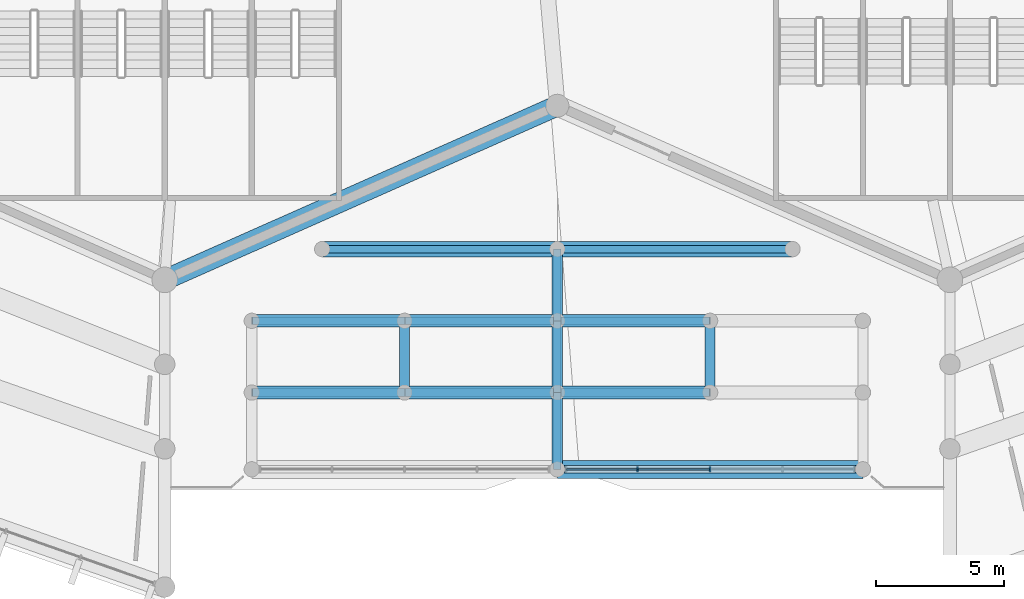
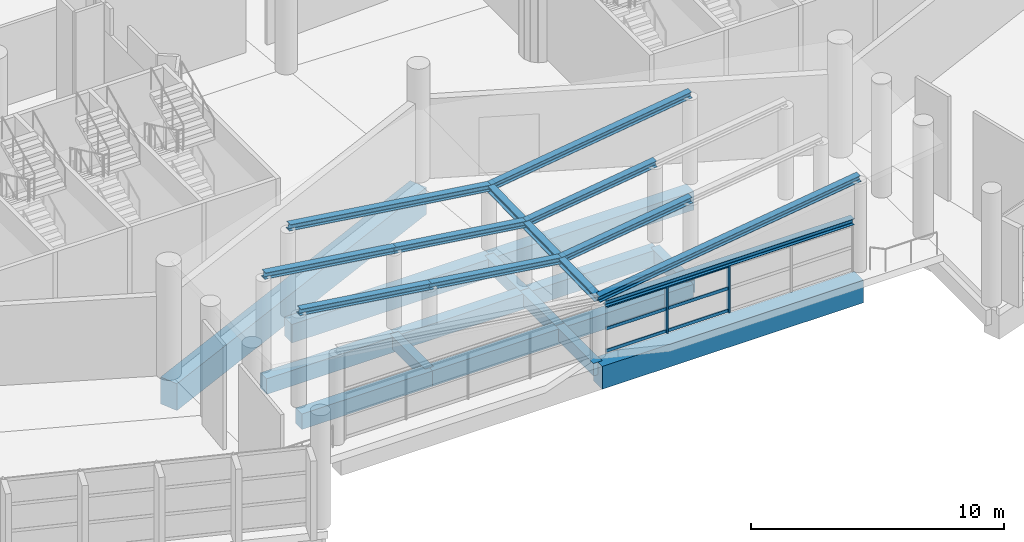
# One storey, part 22 of 271: 28 beams, 8 members, 1 element without a shape of its own.
"""IFC4 building model written with IfcOpenShell, lengths in metres."""

from ifc_helpers import new_model, si_unit, direction, frame, origin, origin_2d, place, context, subcontext, project, spatial, rectangle, i_section, extrude, material, layer, layer_set, material_profile, profile_set, type_object, element, aggregate, save


model = new_model("IFC4")

# Units and contexts
model_context = context("Model", 3, precision=1e-05, world=origin(), true_north=direction((0.0, 1.0)))
body_context = subcontext(model_context, "Body", "Model", "MODEL_VIEW")
ifc_project = project(units=[si_unit("LENGTHUNIT", "METRE"), si_unit("AREAUNIT", "SQUARE_METRE"), si_unit("VOLUMEUNIT", "CUBIC_METRE"), si_unit("PLANEANGLEUNIT", "RADIAN"), si_unit("MASSUNIT", "GRAM", prefix="KILO")], contexts=[model_context])

# Site, building, storey
site_placement = place(None, origin())
site = spatial("IfcSite", under=ifc_project, at=site_placement, CompositionType="ELEMENT")
building_placement = place(site_placement, origin())
building = spatial("IfcBuilding", under=site, at=building_placement, Name="Meseta Stadium", CompositionType="ELEMENT")
storey_placement = place(building_placement, frame((0.0, 0.0, 6.5)))
storey = spatial("IfcBuildingStorey", under=building, at=storey_placement, Name="L01", CompositionType="ELEMENT", Elevation=6.5)

# Beams
ifc_material_1 = material(Name="Steel S355", Category="steel")
ifc_material_profile_1 = material_profile(ifc_material_1, i_section(OverallWidth=0.300048828125, OverallDepth=0.300048828125, WebThickness=0.010986328125, FlangeThickness=0.01904296875, FilletRadius=0.027099609375, at=origin_2d()), Name="HEB 300")
ifc_profile_set_1 = profile_set([ifc_material_profile_1], Name="Steel S355")
beam_type_1 = type_object("IfcBeamType", Name="Gate roof beam HEB 300", PredefinedType="BEAM", material=ifc_profile_set_1)
for number, where, z_axis, x_axis, name in (
    (1, (7.666748046875, -104.199951171875, 2.931396484375), (0.0, -0.999798977995, -0.02005002746), (1.0, 0.0, 0.0), "Gate 7 valley beam"),
    (2, (7.666748046875, -107.0, 2.875244140625), (0.0, -0.999800721691, -0.019962888244), (1.0, 0.0, 0.0), "Gate 7 valley beam"),
):
    element("IfcBeam", number, at=place(storey_placement, frame(where, z_axis=z_axis, x_axis=x_axis)), inside=storey, type_object=beam_type_1, Name=name, PredefinedType="BEAM", context=body_context, shape_type="SweptSolid", body=[
        extrude(i_section(OverallWidth=0.300048828125, OverallDepth=0.300048828125, WebThickness=0.010986328125, FlangeThickness=0.01904296875, FilletRadius=0.027099609375, at=origin_2d()), origin(), (0.0, 0.0, 1.0), 2.800537109375),
    ])
beam_1_placement = place(storey_placement, frame((7.666748046875, -109.800048828125, 2.8193359375), z_axis=(0.0, -0.999799669399, -0.020015520725), x_axis=(1.0, 0.0, 0.0)))
element("IfcBeam", 3, at=beam_1_placement, inside=storey, type_object=beam_type_1, Name="Gate 7 valley beam", PredefinedType="BEAM", context=body_context, shape_type="SweptSolid", body=[
    extrude(i_section(OverallWidth=0.300048828125, OverallDepth=0.300048828125, WebThickness=0.010986328125, FlangeThickness=0.01904296875, FilletRadius=0.027099609375, at=origin_2d()), origin(), (0.0, 0.0, 1.0), 3.00048828125),
])
beam_2_placement = place(storey_placement, frame((7.966796875, -112.800048828125, 2.44921875), z_axis=(1.0, 0.0, 0.0), x_axis=(0.0, 1.0, 0.0)))
element("IfcBeam", 4, at=beam_2_placement, inside=storey, type_object=beam_type_1, Name="Gate 7 head beam", PredefinedType="BEAM", context=body_context, shape_type="SweptSolid", body=[
    extrude(i_section(OverallWidth=0.300048828125, OverallDepth=0.300048828125, WebThickness=0.010986328125, FlangeThickness=0.01904296875, FilletRadius=0.027099609375, at=origin_2d()), origin(), (0.0, 0.0, 1.0), 11.333251953125),
])
ifc_material_2 = material(Name="Steel S355", Category="steel")
ifc_material_profile_2 = material_profile(ifc_material_2, i_section(OverallWidth=0.300048828125, OverallDepth=0.300048828125, WebThickness=0.010986328125, FlangeThickness=0.01904296875, FilletRadius=0.027099609375, at=origin_2d()), Name="HEB 300")
ifc_profile_set_2 = profile_set([ifc_material_profile_2], Name="Steel S355")
beam_type_2 = type_object("IfcBeamType", Name="Gate roof beam HEB 300 rafter", PredefinedType="BEAM", material=ifc_profile_set_2)
beam_3_placement = place(storey_placement, frame((-1.516845703125, -104.199951171875, 4.217041015625), z_axis=(0.99034261426, 0.0, -0.138641647349), x_axis=(0.0, 1.0, 0.0)))
element("IfcBeam", 5, at=beam_3_placement, inside=storey, type_object=beam_type_2, Name="Gate 7 roof rafter", PredefinedType="BEAM", context=body_context, shape_type="SweptSolid", body=[
    extrude(i_section(OverallWidth=0.300048828125, OverallDepth=0.300048828125, WebThickness=0.010986328125, FlangeThickness=0.01904296875, FilletRadius=0.027099609375, at=origin_2d()), origin(), (0.0, 0.0, 1.0), 9.273193359375),
])
beam_4_placement = place(storey_placement, frame((7.666748046875, -104.199951171875, 2.931396484375), z_axis=(0.990342108183, 0.0, 0.138645262307), x_axis=(0.0, 1.0, 0.0)))
element("IfcBeam", 6, at=beam_4_placement, inside=storey, type_object=beam_type_2, Name="Gate 7 roof rafter", PredefinedType="BEAM", context=body_context, shape_type="SweptSolid", body=[
    extrude(i_section(OverallWidth=0.300048828125, OverallDepth=0.300048828125, WebThickness=0.010986328125, FlangeThickness=0.01904296875, FilletRadius=0.027099609375, at=origin_2d()), origin(), (0.0, 0.0, 1.0), 9.27294921875),
])
beam_5_placement = place(storey_placement, frame((-4.2666015625, -107.0, 4.5458984375), z_axis=(0.990344306027, 0.0, -0.138629562213), x_axis=(0.0, 1.0, 0.0)))
element("IfcBeam", 7, at=beam_5_placement, inside=storey, type_object=beam_type_2, Name="Gate 7 roof rafter", PredefinedType="BEAM", context=body_context, shape_type="SweptSolid", body=[
    extrude(i_section(OverallWidth=0.300048828125, OverallDepth=0.300048828125, WebThickness=0.010986328125, FlangeThickness=0.01904296875, FilletRadius=0.027099609375, at=origin_2d()), origin(), (0.0, 0.0, 1.0), 6.024658203125),
])
beam_6_placement = place(storey_placement, frame((1.699951171875, -107.0, 3.710693359375), z_axis=(0.990339520978, 0.0, -0.13866374144), x_axis=(0.0, 1.0, 0.0)))
element("IfcBeam", 8, at=beam_6_placement, inside=storey, type_object=beam_type_2, Name="Gate 7 roof rafter", PredefinedType="BEAM", context=body_context, shape_type="SweptSolid", body=[
    extrude(i_section(OverallWidth=0.300048828125, OverallDepth=0.300048828125, WebThickness=0.010986328125, FlangeThickness=0.01904296875, FilletRadius=0.027099609375, at=origin_2d()), origin(), (0.0, 0.0, 1.0), 6.02490234375),
])
for number, where, z_axis, x_axis, name in (
    (9, (7.666748046875, -107.0, 2.875244140625), (0.990338741803, 0.0, 0.138669306209), (0.0, 1.0, 0.0), "Gate 7 roof rafter"),
    (10, (-4.2666015625, -109.800048828125, 4.489990234375), (0.990344306027, 0.0, -0.138629562213), (0.0, 1.0, 0.0), "Gate 7 roof rafter"),
):
    element("IfcBeam", number, at=place(storey_placement, frame(where, z_axis=z_axis, x_axis=x_axis)), inside=storey, type_object=beam_type_2, Name=name, PredefinedType="BEAM", context=body_context, shape_type="SweptSolid", body=[
        extrude(i_section(OverallWidth=0.300048828125, OverallDepth=0.300048828125, WebThickness=0.010986328125, FlangeThickness=0.01904296875, FilletRadius=0.027099609375, at=origin_2d()), origin(), (0.0, 0.0, 1.0), 6.024658203125),
    ])
beam_7_placement = place(storey_placement, frame((1.699951171875, -109.800048828125, 3.65478515625), z_axis=(0.990339520978, 0.0, -0.13866374144), x_axis=(0.0, 1.0, 0.0)))
element("IfcBeam", 11, at=beam_7_placement, inside=storey, type_object=beam_type_2, Name="Gate 7 roof rafter", PredefinedType="BEAM", context=body_context, shape_type="SweptSolid", body=[
    extrude(i_section(OverallWidth=0.300048828125, OverallDepth=0.300048828125, WebThickness=0.010986328125, FlangeThickness=0.01904296875, FilletRadius=0.027099609375, at=origin_2d()), origin(), (0.0, 0.0, 1.0), 6.02490234375),
])
beam_8_placement = place(storey_placement, frame((7.666748046875, -109.800048828125, 2.8193359375), z_axis=(0.990338741803, 0.0, 0.138669306209), x_axis=(0.0, 1.0, 0.0)))
element("IfcBeam", 12, at=beam_8_placement, inside=storey, type_object=beam_type_2, Name="Gate 7 roof rafter", PredefinedType="BEAM", context=body_context, shape_type="SweptSolid", body=[
    extrude(i_section(OverallWidth=0.300048828125, OverallDepth=0.300048828125, WebThickness=0.010986328125, FlangeThickness=0.01904296875, FilletRadius=0.027099609375, at=origin_2d()), origin(), (0.0, 0.0, 1.0), 6.024658203125),
])
beam_9_placement = place(storey_placement, frame((7.666748046875, -112.800048828125, 2.75927734375), z_axis=(0.990341913595, 0.0, 0.138646652238), x_axis=(0.0, 1.0, 0.0)))
element("IfcBeam", 13, at=beam_9_placement, inside=storey, type_object=beam_type_2, Name="Gate 7 roof rafter", PredefinedType="BEAM", context=body_context, shape_type="SweptSolid", body=[
    extrude(i_section(OverallWidth=0.300048828125, OverallDepth=0.300048828125, WebThickness=0.010986328125, FlangeThickness=0.01904296875, FilletRadius=0.027099609375, at=origin_2d()), origin(), (0.0, 0.0, 1.0), 12.0498046875),
])
ifc_material_3 = material(Name="Concrete C40/50", Category="concrete")
ifc_material_profile_3 = material_profile(ifc_material_3, rectangle(XDim=0.39990234375, YDim=0.60009765625, at=origin_2d()), Name="RC 400x600")
ifc_profile_set_3 = profile_set([ifc_material_profile_3], Name="Concrete C40/50")
beam_type_3 = type_object("IfcBeamType", Name="RC beam 400x600", PredefinedType="BEAM", material=ifc_profile_set_3)
for number, where, z_axis, x_axis, name in (
    (14, (7.666748046875, -104.199951171875, -0.64990234375), (0.0, -1.0, 0.0), (1.0, 0.0, 0.0), "Gate 7 floor beam"),
    (15, (1.699951171875, -107.0, -0.64990234375), (0.0, -1.0, 0.0), (1.0, 0.0, 0.0), "Gate 7 floor beam"),
    (16, (7.666748046875, -107.0, -0.64990234375), (0.0, -1.0, 0.0), (1.0, 0.0, 0.0), "Gate 7 floor beam"),
    (17, (13.63330078125, -107.0, -0.64990234375), (0.0, -1.0, 0.0), (1.0, 0.0, 0.0), "Gate 7 floor beam"),
):
    element("IfcBeam", number, at=place(storey_placement, frame(where, z_axis=z_axis, x_axis=x_axis)), inside=storey, type_object=beam_type_3, Name=name, PredefinedType="BEAM", context=body_context, shape_type="SweptSolid", body=[
        extrude(rectangle(XDim=0.39990234375, YDim=0.60009765625, at=origin_2d()), origin(), (0.0, 0.0, 1.0), 2.800048828125),
    ])
beam_10_placement = place(storey_placement, frame((7.666748046875, -109.800048828125, -0.64990234375), z_axis=(0.0, -1.0, 0.0), x_axis=(1.0, 0.0, 0.0)))
element("IfcBeam", 18, at=beam_10_placement, inside=storey, type_object=beam_type_3, Name="Gate 7 floor beam", PredefinedType="BEAM", context=body_context, shape_type="SweptSolid", body=[
    extrude(rectangle(XDim=0.39990234375, YDim=0.60009765625, at=origin_2d()), origin(), (0.0, 0.0, 1.0), 3.0),
])
ifc_material_4 = material(Name="Concrete C40/50", Category="concrete")
ifc_material_profile_4 = material_profile(ifc_material_4, rectangle(XDim=0.5, YDim=0.75, at=origin_2d()), Name="RC 500x750")
ifc_profile_set_4 = profile_set([ifc_material_profile_4], Name="Concrete C40/50")
beam_type_4 = type_object("IfcBeamType", Name="RC beam 500x750", PredefinedType="BEAM", material=ifc_profile_set_4)
beam_11_placement = place(storey_placement, frame((-4.2666015625, -107.0, -0.72509765625), z_axis=(1.0, 0.0, 0.0), x_axis=(0.0, 1.0, 0.0)))
element("IfcBeam", 19, at=beam_11_placement, inside=storey, type_object=beam_type_4, Name="Gate 7 floor beam", PredefinedType="BEAM", context=body_context, shape_type="SweptSolid", body=[
    extrude(rectangle(XDim=0.5, YDim=0.75, at=origin_2d()), origin(), (0.0, 0.0, 1.0), 5.966552734375),
])
beam_12_placement = place(storey_placement, frame((1.699951171875, -107.0, -0.72509765625), z_axis=(1.0, 0.0, 0.0), x_axis=(0.0, 1.0, 0.0)))
element("IfcBeam", 20, at=beam_12_placement, inside=storey, type_object=beam_type_4, Name="Gate 7 floor beam", PredefinedType="BEAM", context=body_context, shape_type="SweptSolid", body=[
    extrude(rectangle(XDim=0.5, YDim=0.75, at=origin_2d()), origin(), (0.0, 0.0, 1.0), 5.966796875),
])
for number, where, z_axis, x_axis, name in (
    (21, (7.666748046875, -107.0, -0.72509765625), (1.0, 0.0, 0.0), (0.0, 1.0, 0.0), "Gate 7 floor beam"),
    (22, (-4.2666015625, -109.800048828125, -0.72509765625), (1.0, 0.0, 0.0), (0.0, 1.0, 0.0), "Gate 7 floor beam"),
):
    element("IfcBeam", number, at=place(storey_placement, frame(where, z_axis=z_axis, x_axis=x_axis)), inside=storey, type_object=beam_type_4, Name=name, PredefinedType="BEAM", context=body_context, shape_type="SweptSolid", body=[
        extrude(rectangle(XDim=0.5, YDim=0.75, at=origin_2d()), origin(), (0.0, 0.0, 1.0), 5.966552734375),
    ])
beam_13_placement = place(storey_placement, frame((1.699951171875, -109.800048828125, -0.72509765625), z_axis=(1.0, 0.0, 0.0), x_axis=(0.0, 1.0, 0.0)))
element("IfcBeam", 23, at=beam_13_placement, inside=storey, type_object=beam_type_4, Name="Gate 7 floor beam", PredefinedType="BEAM", context=body_context, shape_type="SweptSolid", body=[
    extrude(rectangle(XDim=0.5, YDim=0.75, at=origin_2d()), origin(), (0.0, 0.0, 1.0), 5.966796875),
])
beam_14_placement = place(storey_placement, frame((7.666748046875, -109.800048828125, -0.72509765625), z_axis=(1.0, 0.0, 0.0), x_axis=(0.0, 1.0, 0.0)))
element("IfcBeam", 24, at=beam_14_placement, inside=storey, type_object=beam_type_4, Name="Gate 7 floor beam", PredefinedType="BEAM", context=body_context, shape_type="SweptSolid", body=[
    extrude(rectangle(XDim=0.5, YDim=0.75, at=origin_2d()), origin(), (0.0, 0.0, 1.0), 5.966552734375),
])
ifc_material_5 = material(Name="Concrete C40/50", Category="concrete")
ifc_material_profile_5 = material_profile(ifc_material_5, rectangle(XDim=0.60009765625, YDim=0.89990234375, at=origin_2d()), Name="RC 600x900")
ifc_profile_set_5 = profile_set([ifc_material_profile_5], Name="Concrete C40/50")
beam_type_5 = type_object("IfcBeamType", Name="RC beam 600x900", PredefinedType="BEAM", material=ifc_profile_set_5)
beam_15_placement = place(storey_placement, frame((-1.516845703125, -104.199951171875, -0.800048828125), z_axis=(1.0, 0.0, 0.0), x_axis=(0.0, 1.0, 0.0)))
element("IfcBeam", 25, at=beam_15_placement, inside=storey, type_object=beam_type_5, Name="Gate 7 floor beam", PredefinedType="BEAM", context=body_context, shape_type="SweptSolid", body=[
    extrude(rectangle(XDim=0.60009765625, YDim=0.89990234375, at=origin_2d()), origin(), (0.0, 0.0, 1.0), 9.18359375),
])
beam_16_placement = place(storey_placement, frame((7.666748046875, -104.199951171875, -0.800048828125), z_axis=(1.0, 0.0, 0.0), x_axis=(0.0, 1.0, 0.0)))
element("IfcBeam", 26, at=beam_16_placement, inside=storey, type_object=beam_type_5, Name="Gate 7 floor beam", PredefinedType="BEAM", context=body_context, shape_type="SweptSolid", body=[
    extrude(rectangle(XDim=0.60009765625, YDim=0.89990234375, at=origin_2d()), origin(), (0.0, 0.0, 1.0), 9.183349609375),
])
ifc_material_6 = material(Name="Concrete C40/50", Category="concrete")
ifc_material_profile_6 = material_profile(ifc_material_6, rectangle(XDim=0.699951171875, YDim=1.10009765625, at=origin_2d()), Name="RC 700x1100")
ifc_profile_set_6 = profile_set([ifc_material_profile_6], Name="Concrete C40/50")
beam_type_6 = type_object("IfcBeamType", Name="RC beam 700x1100", PredefinedType="BEAM", material=ifc_profile_set_6)
beam_17_placement = place(storey_placement, frame((7.666748046875, -112.800048828125, -0.89990234375), z_axis=(1.0, 0.0, 0.0), x_axis=(0.0, 1.0, 0.0)))
element("IfcBeam", 27, at=beam_17_placement, inside=storey, type_object=beam_type_6, Name="Gate 7 floor beam", PredefinedType="BEAM", context=body_context, shape_type="SweptSolid", body=[
    extrude(rectangle(XDim=0.699951171875, YDim=1.10009765625, at=origin_2d()), origin(), (0.0, 0.0, 1.0), 11.933349609375),
])
ifc_material_7 = material(Name="Concrete C40/50", Category="concrete")
ifc_material_profile_7 = material_profile(ifc_material_7, rectangle(XDim=0.800048828125, YDim=1.300048828125, at=origin_2d()), Name="RC 800x1300")
ifc_profile_set_7 = profile_set([ifc_material_profile_7], Name="Concrete C40/50")
beam_type_7 = type_object("IfcBeamType", Name="RC beam 800x1300", PredefinedType="BEAM", material=ifc_profile_set_7)
beam_18_placement = place(storey_placement, frame((-7.666748046875, -105.39990234375, -1.0), z_axis=(0.914144956099, 0.405387468033, 0.0), x_axis=(-0.405387468033, 0.914144956099, 0.0)))
element("IfcBeam", 28, at=beam_18_placement, inside=storey, type_object=beam_type_7, Name="L01 ring beam frame 46 line R", PredefinedType="BEAM", context=body_context, shape_type="SweptSolid", body=[
    extrude(rectangle(XDim=0.800048828125, YDim=1.300048828125, at=origin_2d()), origin(), (0.0, 0.0, 1.0), 16.773681640625),
])

# Curtain wall, members
ifc_material_8 = material(Name="Aluminium", Category="aluminium")
ifc_layer = layer(ifc_material_8, 0.199951171875)
ifc_layer_set = layer_set([ifc_layer], Name="Gate hall curtain wall")
curtain_wall_type = type_object("IfcCurtainWallType", Name="Gate hall curtain wall", PredefinedType="NOTDEFINED", material=ifc_layer_set)
curtain_wall_placement = place(storey_placement, origin())
curtain_wall = element("IfcCurtainWall", 29, at=curtain_wall_placement, inside=storey, type_object=curtain_wall_type, Name="Gate 7 hall glazing", PredefinedType="NOTDEFINED")
ifc_material_9 = material(Name="Aluminium", Category="aluminium")
ifc_material_profile_8 = material_profile(ifc_material_9, rectangle(XDim=0.199951171875, YDim=0.06005859375, at=origin_2d()), Name="CW 200x60")
ifc_profile_set_8 = profile_set([ifc_material_profile_8], Name="Aluminium")
member_type_1 = type_object("IfcMemberType", Name="Ring CW mullion 60x200", PredefinedType="MULLION", material=ifc_profile_set_8)
member_1_placement = place(storey_placement, frame((13.63330078125, -112.800048828125, 0.0), z_axis=(0.0, 0.0, 1.0), x_axis=(0.0, -1.0, 0.0)))
member_1 = element("IfcMember", 30, at=member_1_placement, type_object=member_type_1, Name="CWG1 mullion 3", PredefinedType="MULLION", context=body_context, shape_type="SweptSolid", body=[
    extrude(rectangle(XDim=0.199951171875, YDim=0.06005859375, at=origin_2d()), origin(), (0.0, 0.0, 1.0), 2.29931640625),
])
member_2_placement = place(storey_placement, frame((10.800048828125, -112.800048828125, 0.0), z_axis=(0.0, 0.0, 1.0), x_axis=(0.0, -1.0, 0.0)))
member_2 = element("IfcMember", 31, at=member_2_placement, type_object=member_type_1, Name="CWG1 mullion 4", PredefinedType="MULLION", context=body_context, shape_type="SweptSolid", body=[
    extrude(rectangle(XDim=0.199951171875, YDim=0.06005859375, at=origin_2d()), origin(), (0.0, 0.0, 1.0), 2.29931640625),
])
ifc_material_10 = material(Name="Aluminium", Category="aluminium")
ifc_material_profile_9 = material_profile(ifc_material_10, rectangle(XDim=0.06005859375, YDim=0.14990234375, at=origin_2d()), Name="CW 60x150")
ifc_profile_set_9 = profile_set([ifc_material_profile_9], Name="Aluminium")
member_type_2 = type_object("IfcMemberType", Name="Ring CW transom 60x150", PredefinedType="USERDEFINED", material=ifc_profile_set_9)
member_3_placement = place(storey_placement, frame((13.603271484375, -112.800048828125, 0.074951171875), z_axis=(-1.0, 0.0, 0.0), x_axis=(0.0, -1.0, 0.0)))
member_3 = element("IfcMember", 32, at=member_3_placement, type_object=member_type_2, Name="CWG1 transom 3.1", ObjectType="TRANSOM", PredefinedType="USERDEFINED", context=body_context, shape_type="SweptSolid", body=[
    extrude(rectangle(XDim=0.06005859375, YDim=0.14990234375, at=origin_2d()), origin(), (0.0, 0.0, 1.0), 2.773193359375),
])
member_4_placement = place(storey_placement, frame((13.603271484375, -112.800048828125, 1.149658203125), z_axis=(-1.0, 0.0, 0.0), x_axis=(0.0, -1.0, 0.0)))
member_4 = element("IfcMember", 33, at=member_4_placement, type_object=member_type_2, Name="CWG1 transom 3.2", ObjectType="TRANSOM", PredefinedType="USERDEFINED", context=body_context, shape_type="SweptSolid", body=[
    extrude(rectangle(XDim=0.06005859375, YDim=0.14990234375, at=origin_2d()), origin(), (0.0, 0.0, 1.0), 2.773193359375),
])
member_5_placement = place(storey_placement, frame((13.603271484375, -112.800048828125, 2.224365234375), z_axis=(-1.0, 0.0, 0.0), x_axis=(0.0, -1.0, 0.0)))
member_5 = element("IfcMember", 34, at=member_5_placement, type_object=member_type_2, Name="CWG1 transom 3.3", ObjectType="TRANSOM", PredefinedType="USERDEFINED", context=body_context, shape_type="SweptSolid", body=[
    extrude(rectangle(XDim=0.06005859375, YDim=0.14990234375, at=origin_2d()), origin(), (0.0, 0.0, 1.0), 2.773193359375),
])
member_6_placement = place(storey_placement, frame((10.77001953125, -112.800048828125, 0.074951171875), z_axis=(-1.0, 0.0, 0.0), x_axis=(0.0, -1.0, 0.0)))
member_6 = element("IfcMember", 35, at=member_6_placement, type_object=member_type_2, Name="CWG1 transom 4.1", ObjectType="TRANSOM", PredefinedType="USERDEFINED", context=body_context, shape_type="SweptSolid", body=[
    extrude(rectangle(XDim=0.06005859375, YDim=0.14990234375, at=origin_2d()), origin(), (0.0, 0.0, 1.0), 2.743408203125),
])
member_7_placement = place(storey_placement, frame((10.77001953125, -112.800048828125, 1.149658203125), z_axis=(-1.0, 0.0, 0.0), x_axis=(0.0, -1.0, 0.0)))
member_7 = element("IfcMember", 36, at=member_7_placement, type_object=member_type_2, Name="CWG1 transom 4.2", ObjectType="TRANSOM", PredefinedType="USERDEFINED", context=body_context, shape_type="SweptSolid", body=[
    extrude(rectangle(XDim=0.06005859375, YDim=0.14990234375, at=origin_2d()), origin(), (0.0, 0.0, 1.0), 2.743408203125),
])
member_8_placement = place(storey_placement, frame((10.77001953125, -112.800048828125, 2.224365234375), z_axis=(-1.0, 0.0, 0.0), x_axis=(0.0, -1.0, 0.0)))
member_8 = element("IfcMember", 37, at=member_8_placement, type_object=member_type_2, Name="CWG1 transom 4.3", ObjectType="TRANSOM", PredefinedType="USERDEFINED", context=body_context, shape_type="SweptSolid", body=[
    extrude(rectangle(XDim=0.06005859375, YDim=0.14990234375, at=origin_2d()), origin(), (0.0, 0.0, 1.0), 2.743408203125),
])
aggregate(curtain_wall, [member_1, member_2, member_3, member_4, member_5, member_6, member_7, member_8])

save(model, "model.ifc")
